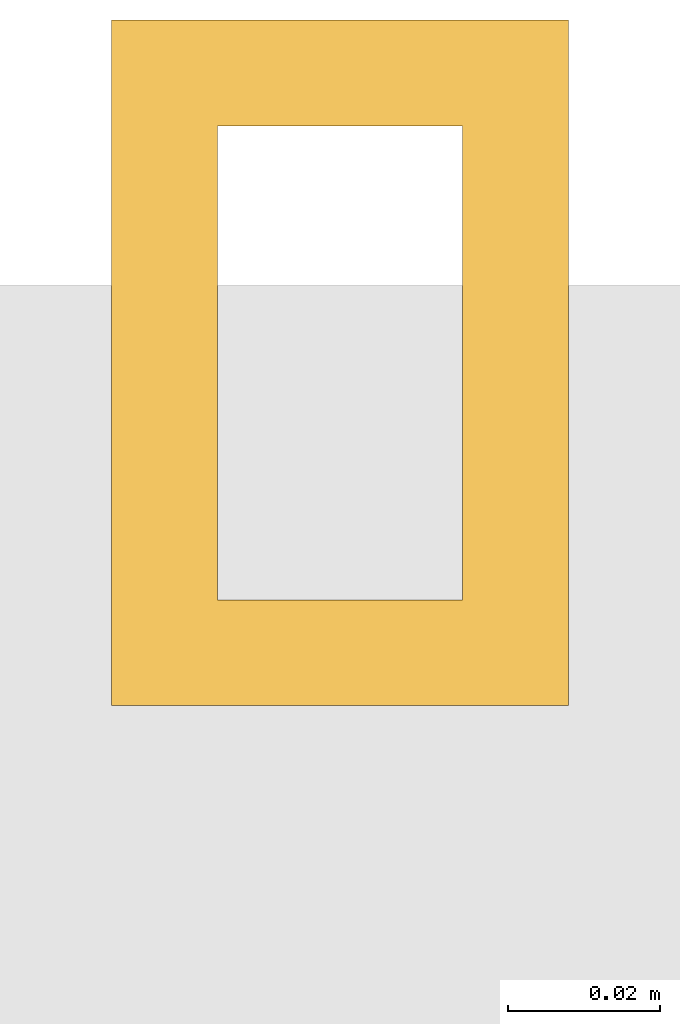
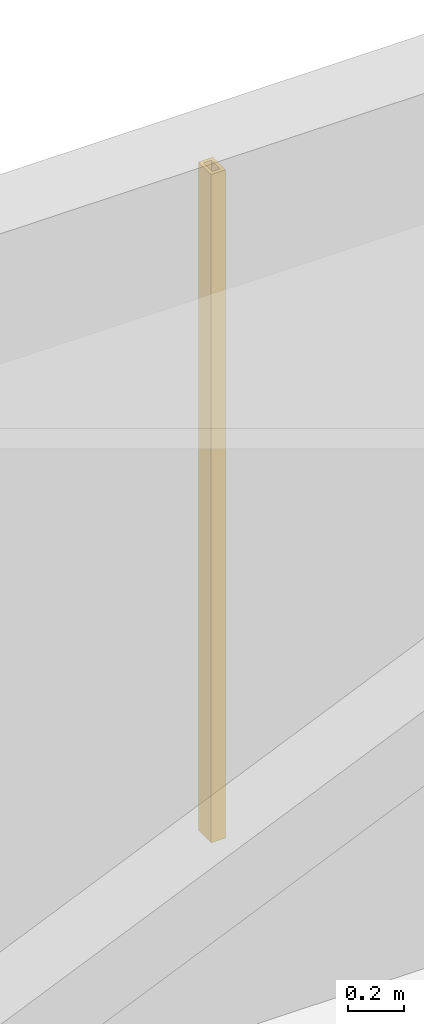
# One storey, part 39 of 40: 1 shading device.
"""IFC4 building model written with IfcOpenShell, lengths in metres."""

import ifcopenshell
import ifcopenshell.guid

model = None  # the IFC model being written
_history = None  # IfcOwnerHistory: only IFC2X3 demands one
_inside = {}  # id of a spatial element -> (the spatial element, [elements in it])
_under = {}  # id of a project, library or spatial element -> (it, [spatial elements below it])
_declared = {}  # id of a project -> (the project, [libraries it declares])
_typed = {}  # id of a type object -> (the type object, [elements of that type])
_made_of = {}  # id of a material, layer set ... -> (it, [elements and type objects made of it])


def new_model(schema):
    """Start an empty IFC model of exactly this schema.

    Asked for "IFC4X3", IfcOpenShell would pick the latest addendum, in which some entities
    have other attributes; the version numbers below select the first issue.
    IFC2X3 requires an IfcOwnerHistory on every rooted entity: one is made here for all.
    """
    global model, _history
    if schema == "IFC4X3":
        model = ifcopenshell.file(schema_version=(4, 3, 0, 0))
    else:
        model = ifcopenshell.file(schema=schema)
    _inside.clear()
    _under.clear()
    _declared.clear()
    _typed.clear()
    _made_of.clear()
    _history = None
    if model.schema == "IFC2X3":
        org = make("IfcOrganization", Name="unknown")
        user = make(
            "IfcPersonAndOrganization",
            ThePerson=make("IfcPerson", FamilyName="unknown"),
            TheOrganization=org,
        )
        app = make(
            "IfcApplication",
            ApplicationDeveloper=org,
            Version="unknown",
            ApplicationFullName="unknown",
            ApplicationIdentifier="unknown",
        )
        _history = make(
            "IfcOwnerHistory",
            OwningUser=user,
            OwningApplication=app,
            ChangeAction="ADDED",
            CreationDate=0,
        )
    return model


def make(cls, **values):
    """One entity of the class cls with the attributes given. An attribute that is None is left unset."""
    return model.create_entity(
        cls, **{name: value for name, value in values.items() if value is not None}
    )


def rooted(cls, **values):
    """An entity with a GlobalId (a new one), such as an element, a storey or a relation."""
    return make(cls, GlobalId=ifcopenshell.guid.new(), OwnerHistory=_history, **values)


def si_unit(unit_type, name, prefix=None):
    """IfcSIUnit, for example si_unit("LENGTHUNIT", "METRE", prefix="MILLI")."""
    return make("IfcSIUnit", UnitType=unit_type, Prefix=prefix, Name=name)


def assignment(units):
    """IfcUnitAssignment: the units of a project."""
    return None if units is None else make("IfcUnitAssignment", Units=units)


def point(xyz):
    """IfcCartesianPoint."""
    return None if xyz is None else make("IfcCartesianPoint", Coordinates=xyz)


def direction(xyz):
    """IfcDirection."""
    return None if xyz is None else make("IfcDirection", DirectionRatios=xyz)


def frame(location, z_axis=None, x_axis=None):
    """IfcAxis2Placement3D, a coordinate frame: its origin and axes. An axis left out is left unset."""
    return make(
        "IfcAxis2Placement3D",
        Location=point(location),
        Axis=direction(z_axis),
        RefDirection=direction(x_axis),
    )


def frame_2d(location, x_axis=None):
    """IfcAxis2Placement2D, a coordinate frame in the plane: its origin and x axis."""
    return make(
        "IfcAxis2Placement2D", Location=point(location), RefDirection=direction(x_axis)
    )


def origin():
    """The frame at (0, 0, 0) with its axes left unset."""
    return frame((0.0, 0.0, 0.0))


def origin_2d():
    """The frame at (0, 0) in the plane with its x axis left unset."""
    return frame_2d((0.0, 0.0))


def place(relative_to, where):
    """IfcLocalPlacement: puts the frame where relative to a parent placement (None: the world)."""
    return make(
        "IfcLocalPlacement", PlacementRelTo=relative_to, RelativePlacement=where
    )


def context(
    kind, dimensions, precision=None, world=None, true_north=None, identifier=None
):
    """IfcGeometricRepresentationContext, for example the 3D "Model" context."""
    return make(
        "IfcGeometricRepresentationContext",
        ContextIdentifier=identifier,
        ContextType=kind,
        CoordinateSpaceDimension=dimensions,
        Precision=precision,
        WorldCoordinateSystem=world,
        TrueNorth=true_north,
    )


def subcontext(parent, identifier, kind, view, scale=None):
    """IfcGeometricRepresentationSubContext, for example "Body" below "Model"."""
    return make(
        "IfcGeometricRepresentationSubContext",
        ContextIdentifier=identifier,
        ContextType=kind,
        ParentContext=parent,
        TargetScale=scale,
        TargetView=view,
    )


def project(units=None, contexts=None):
    """IfcProject with its units and contexts."""
    return rooted(
        "IfcProject",
        Name="project",
        RepresentationContexts=contexts,
        UnitsInContext=assignment(units),
    )


def spatial(cls, under=None, at=None, **own):
    """A site, building, storey or space (cls), placed at a placement, below another one or the project."""
    s = rooted(cls, ObjectPlacement=at, **own)
    if under is not None:
        _under.setdefault(under.id(), (under, []))[1].append(s)
    return s


def profile(cls, at=None, kind="AREA", **sizes):
    """A parametric profile (cls). Its sizes go by their IFC names, for example OverallWidth=200.0."""
    return make(cls, ProfileType=kind, Position=at, **sizes)


def hollow_rectangle(**sizes):
    """IfcRectangleHollowProfileDef."""
    return profile("IfcRectangleHollowProfileDef", **sizes)


def extrude(swept, where, along, depth):
    """IfcExtrudedAreaSolid: the profile swept, set in the frame where, extruded along a direction by depth."""
    return make(
        "IfcExtrudedAreaSolid",
        SweptArea=swept,
        Position=where,
        ExtrudedDirection=direction(along),
        Depth=depth,
    )


def shape(context_of_items, identifier, shape_type, items):
    """IfcShapeRepresentation: the items that make up one representation, for example the "Body"."""
    return make(
        "IfcShapeRepresentation",
        ContextOfItems=context_of_items,
        RepresentationIdentifier=identifier,
        RepresentationType=shape_type,
        Items=items,
    )


def material(Name=None, Category=None):
    """IfcMaterial."""
    return make("IfcMaterial", Name=Name, Category=Category)


def material_profile(
    of_material, cross_section, Name=None, Category=None, Priority=None
):
    """IfcMaterialProfile: a cross section and its material."""
    return make(
        "IfcMaterialProfile",
        Name=Name,
        Material=of_material,
        Profile=cross_section,
        Priority=Priority,
        Category=Category,
    )


def profile_set(profiles, Name=None, composite=None):
    """IfcMaterialProfileSet."""
    return make(
        "IfcMaterialProfileSet",
        Name=Name,
        MaterialProfiles=profiles,
        CompositeProfile=composite,
    )


def made_of(thing, what):
    """Note that an element or type object is made of a material, layer set ...; save() writes the relation."""
    if what is not None:
        _made_of.setdefault(what.id(), (what, []))[1].append(thing)
    return thing


def type_object(cls, material=None, **own):
    """A type object (cls), such as IfcWallType, which elements share."""
    return made_of(rooted(cls, **own), material)


def element(
    cls,
    number,
    at=None,
    inside=None,
    cuts=None,
    type_object=None,
    material=None,
    context=None,
    identifier="Body",
    shape_type=None,
    held_by="IfcProductDefinitionShape",
    body=None,
    shapes=None,
    **own,
):
    """One element of the class cls, such as IfcWall. Its Tag is "e" and its number.

    at: its placement. inside: the storey or other place that contains it. cuts: it is an
    opening in that element (IfcRelVoidsElement). A single representation is given by context,
    identifier, shape_type and body (its items); several are given by shapes. held_by: the class
    of the entity that holds the representations. save() writes the other relations.
    """
    e = rooted(cls, Tag="e%d" % number, ObjectPlacement=at, **own)
    if body is not None:
        shapes = [shape(context, identifier, shape_type, body)]
    if shapes is not None:
        e.Representation = make(held_by, Representations=shapes)
    if inside is not None:
        _inside.setdefault(inside.id(), (inside, []))[1].append(e)
    if cuts is not None:
        rooted(
            "IfcRelVoidsElement", RelatingBuildingElement=cuts, RelatedOpeningElement=e
        )
    if type_object is not None:
        _typed.setdefault(type_object.id(), (type_object, []))[1].append(e)
    return made_of(e, material)


def aggregate(whole, parts):
    """IfcRelAggregates: a whole, such as a stair, and the parts it consists of."""
    return rooted("IfcRelAggregates", RelatingObject=whole, RelatedObjects=parts)


def save(model, path):
    """Write the relations noted so far, then the file.

    IfcRelAggregates (storeys below a building ...), IfcRelContainedInSpatialStructure (elements
    in a storey), IfcRelDefinesByType, IfcRelAssociatesMaterial and IfcRelDeclares: one each for
    every whole, place, type object, material and project.
    """
    for whole, parts in _under.values():
        aggregate(whole, parts)
    for where, things in _inside.values():
        rooted(
            "IfcRelContainedInSpatialStructure",
            RelatedElements=things,
            RelatingStructure=where,
        )
    for kind, things in _typed.values():
        rooted("IfcRelDefinesByType", RelatedObjects=things, RelatingType=kind)
    for what, things in _made_of.values():
        rooted("IfcRelAssociatesMaterial", RelatedObjects=things, RelatingMaterial=what)
    for by, libraries in _declared.values():
        rooted("IfcRelDeclares", RelatingContext=by, RelatedDefinitions=libraries)
    model.write(path)


model = new_model("IFC4")

# Units and contexts
model_context = context("Model", 3, precision=1e-05, world=origin(), true_north=direction((0.0, 1.0)))
body_context = subcontext(model_context, "Body", "Model", "MODEL_VIEW")
ifc_project = project(units=[si_unit("LENGTHUNIT", "METRE"), si_unit("AREAUNIT", "SQUARE_METRE"), si_unit("VOLUMEUNIT", "CUBIC_METRE"), si_unit("PLANEANGLEUNIT", "RADIAN"), si_unit("MASSUNIT", "GRAM", prefix="KILO")], contexts=[model_context])

# Site, building, storey
site_placement = place(None, origin())
site = spatial("IfcSite", under=ifc_project, at=site_placement, CompositionType="ELEMENT")
building_placement = place(site_placement, origin())
building = spatial("IfcBuilding", under=site, at=building_placement, Name="Punatoya Terracotta Tower", CompositionType="ELEMENT")
storey_placement = place(building_placement, frame((0.0, 0.0, 76.800048828125)))
storey = spatial("IfcBuildingStorey", under=building, at=storey_placement, Name="L17", CompositionType="ELEMENT", Elevation=76.800048828125)

# Shading device
ifc_material = material(Name="Architectural Fired Terracotta", Category="masonry")
ifc_material_profile = material_profile(ifc_material, hollow_rectangle(XDim=0.06005859375, YDim=0.090087890625, WallThickness=0.013916015625, at=origin_2d()))
ifc_profile_set = profile_set([ifc_material_profile], Name="Architectural Fired Terracotta")
shading_device_type = type_object("IfcShadingDeviceType", Name="SHD-JALI-90", PredefinedType="JALOUSIE", material=ifc_profile_set)
shading_device_placement = place(storey_placement, frame((0.0, 18.64990234375, 0.599853515625), z_axis=(0.0, 0.0, 1.0), x_axis=(1.0, 0.0, 0.0)))
element("IfcShadingDevice", 1, at=shading_device_placement, inside=storey, type_object=shading_device_type, Name="L17 Braced Bay Terracotta Jali Fin N1", PredefinedType="JALOUSIE", context=body_context, shape_type="SweptSolid", body=[
    extrude(hollow_rectangle(XDim=0.06005859375, YDim=0.090087890625, WallThickness=0.013916015625, at=origin_2d()), origin(), (0.0, 0.0, 1.0), 2.91015625),
])

save(model, "model.ifc")
